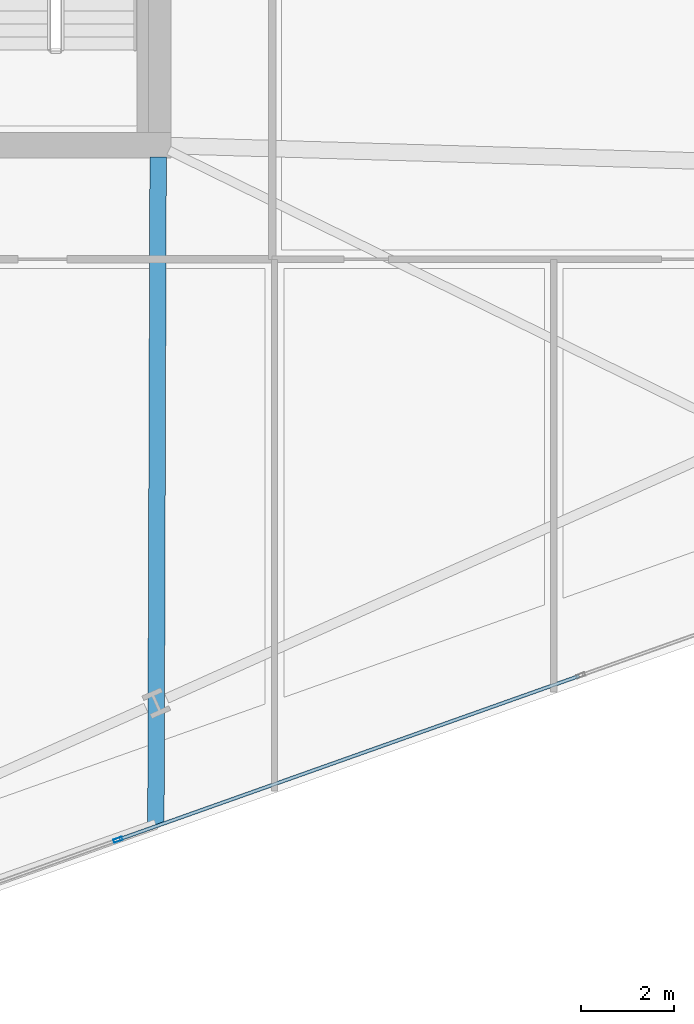
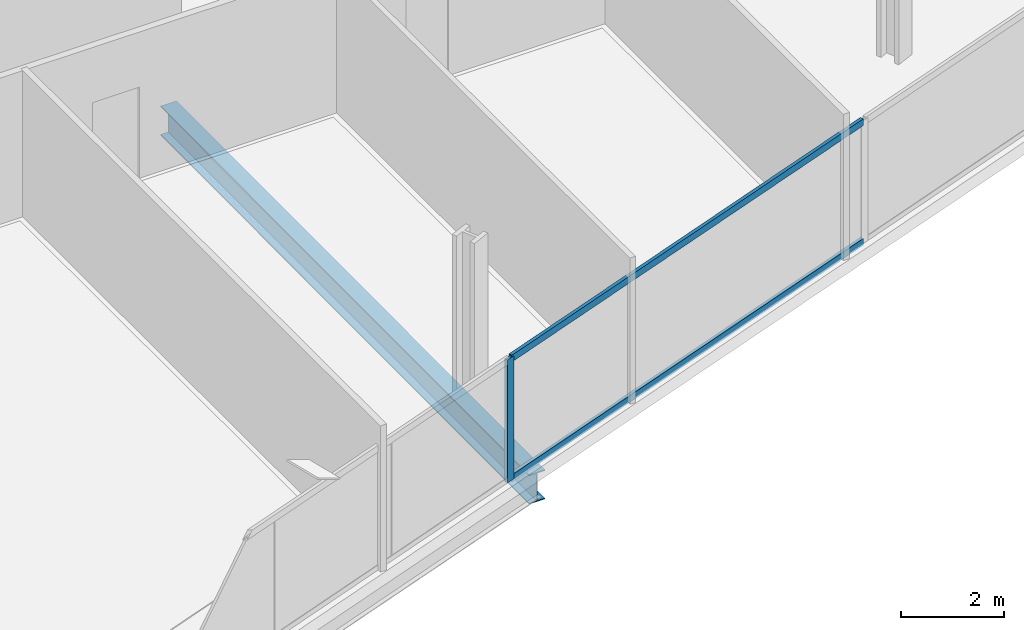
# One storey, part 8 of 33: 3 members, 1 beam, 1 element without a shape of its own.
"""IFC4 building model written with IfcOpenShell, lengths in metres."""

from ifc_helpers import new_model, si_unit, direction, frame, origin, origin_2d, place, context, subcontext, project, spatial, hollow_rectangle, i_section, extrude, material, material_profile, profile_set, type_object, element, aggregate, save


model = new_model("IFC4")

# Units and contexts
model_context = context("Model", 3, precision=1e-05, world=origin(), true_north=direction((0.0, 1.0)))
body_context = subcontext(model_context, "Body", "Model", "MODEL_VIEW")
ifc_project = project(units=[si_unit("LENGTHUNIT", "METRE"), si_unit("AREAUNIT", "SQUARE_METRE"), si_unit("VOLUMEUNIT", "CUBIC_METRE"), si_unit("PLANEANGLEUNIT", "RADIAN"), si_unit("MASSUNIT", "GRAM", prefix="KILO")], contexts=[model_context])

# Site, building, storey
site_placement = place(None, origin())
site = spatial("IfcSite", under=ifc_project, at=site_placement, CompositionType="ELEMENT")
building_placement = place(site_placement, origin())
building = spatial("IfcBuilding", under=site, at=building_placement, Name="Haldenkirk Collegiate Tower", CompositionType="ELEMENT")
storey_placement = place(building_placement, frame((0.0, 0.0, 94.199951171875)))
storey = spatial("IfcBuildingStorey", under=building, at=storey_placement, Name="L22", CompositionType="ELEMENT", Elevation=94.199951171875)

# Beam
ifc_material_1 = material(Name="Steel ASTM A992 Grade 50", Category="steel")
ifc_material_profile_1 = material_profile(ifc_material_1, i_section(OverallWidth=0.35498046875, OverallDepth=0.696044921875, WebThickness=0.015380859375, FlangeThickness=0.02490234375, at=origin_2d()), Name="W27X146")
ifc_profile_set_1 = profile_set([ifc_material_profile_1], Name="Steel ASTM A992 Grade 50")
beam_type = type_object("IfcBeamType", Name="BM-GIRDER-W27X146", PredefinedType="BEAM", material=ifc_profile_set_1)
beam_placement = place(storey_placement, frame((44.951171875, 3.4130859375, -0.64794921875), z_axis=(0.003338765801, 0.999994426306, 0.0), x_axis=(-0.999994426306, 0.003338765801, 0.0)))
element("IfcBeam", 1, at=beam_placement, inside=storey, type_object=beam_type, Name="L22 primary floor girder 06", PredefinedType="BEAM", context=body_context, shape_type="SweptSolid", body=[
    extrude(i_section(OverallWidth=0.35498046875, OverallDepth=0.696044921875, WebThickness=0.015380859375, FlangeThickness=0.02490234375, at=origin_2d()), origin(), (0.0, 0.0, 1.0), 14.33203125),
])

# Curtain wall, members
ifc_material_2 = material(Name="Anodised architectural bronze aluminium", Category="aluminium")
curtain_wall_type = type_object("IfcCurtainWallType", Name="CW-SYS2-CONCAVE", PredefinedType="USERDEFINED", material=ifc_material_2)
curtain_wall_placement = place(storey_placement, origin())
curtain_wall = element("IfcCurtainWall", 2, at=curtain_wall_placement, inside=storey, type_object=curtain_wall_type, Name="L22 South concave recessed bronze-anodised curtain wall", ObjectType="UNITISED CURTAIN WALL", PredefinedType="USERDEFINED")
ifc_material_profile_2 = material_profile(ifc_material_2, hollow_rectangle(XDim=0.074951171875, YDim=0.18994140625, WallThickness=0.0048828125, at=origin_2d()), Name="CW-MUL-02")
ifc_profile_set_2 = profile_set([ifc_material_profile_2], Name="Anodised architectural bronze aluminium")
member_type_1 = type_object("IfcMemberType", Name="CW-MUL-02", PredefinedType="MULLION", material=ifc_profile_set_2)
member_1_placement = place(storey_placement, frame((44.13818359375, 3.08203125, 0.0), z_axis=(0.0, 0.0, 1.0), x_axis=(0.334627839055, -0.942350364424, 0.0)))
member_1 = element("IfcMember", 3, at=member_1_placement, type_object=member_type_1, Name="CW-02 mullion 3", PredefinedType="MULLION", context=body_context, shape_type="SweptSolid", body=[
    extrude(hollow_rectangle(XDim=0.074951171875, YDim=0.18994140625, WallThickness=0.0048828125, at=origin_2d()), origin(), (0.0, 0.0, 1.0), 2.901123046875),
])
ifc_material_profile_3 = material_profile(ifc_material_2, hollow_rectangle(XDim=0.074951171875, YDim=0.159912109375, WallThickness=0.0048828125, at=origin_2d()), Name="CW-TRN-02")
ifc_profile_set_3 = profile_set([ifc_material_profile_3], Name="Anodised architectural bronze aluminium")
member_type_2 = type_object("IfcMemberType", Name="CW-TRN-02", PredefinedType="USERDEFINED", material=ifc_profile_set_3)
member_2_placement = place(storey_placement, frame((54.044677734375, 6.599853515625, 0.03759765625), z_axis=(-0.942345733639, -0.33464087959, 0.0), x_axis=(0.33464087959, -0.942345733639, 0.0)))
member_2 = element("IfcMember", 4, at=member_2_placement, type_object=member_type_2, Name="CW-02 transom 2.1", ObjectType="TRANSOM", PredefinedType="USERDEFINED", context=body_context, shape_type="SweptSolid", body=[
    extrude(hollow_rectangle(XDim=0.074951171875, YDim=0.159912109375, WallThickness=0.0048828125, at=origin_2d()), origin(), (0.0, 0.0, 1.0), 10.47509765625),
])
member_3_placement = place(storey_placement, frame((54.044677734375, 6.599853515625, 2.863525390625), z_axis=(-0.942345733639, -0.33464087959, 0.0), x_axis=(0.33464087959, -0.942345733639, 0.0)))
member_3 = element("IfcMember", 5, at=member_3_placement, type_object=member_type_2, Name="CW-02 transom 2.2", ObjectType="TRANSOM", PredefinedType="USERDEFINED", context=body_context, shape_type="SweptSolid", body=[
    extrude(hollow_rectangle(XDim=0.074951171875, YDim=0.159912109375, WallThickness=0.0048828125, at=origin_2d()), origin(), (0.0, 0.0, 1.0), 10.47509765625),
])
aggregate(curtain_wall, [member_1, member_2, member_3])

save(model, "model.ifc")
